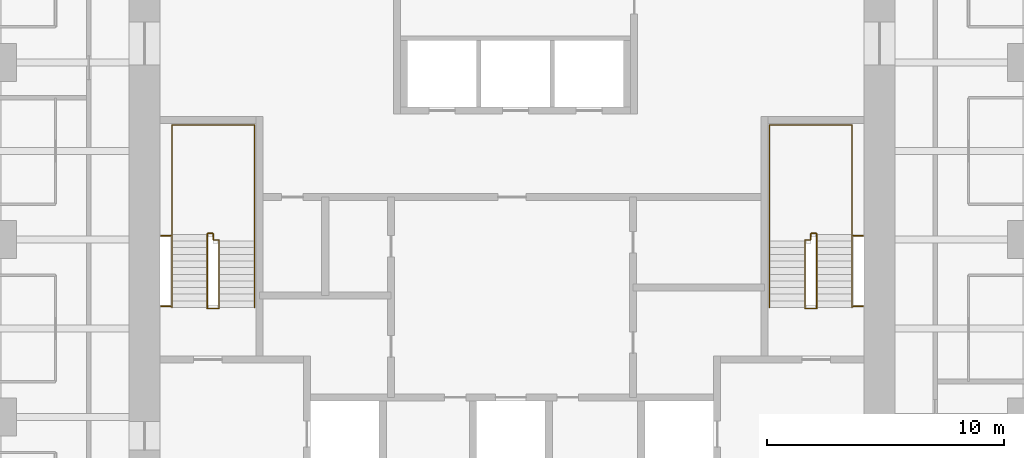
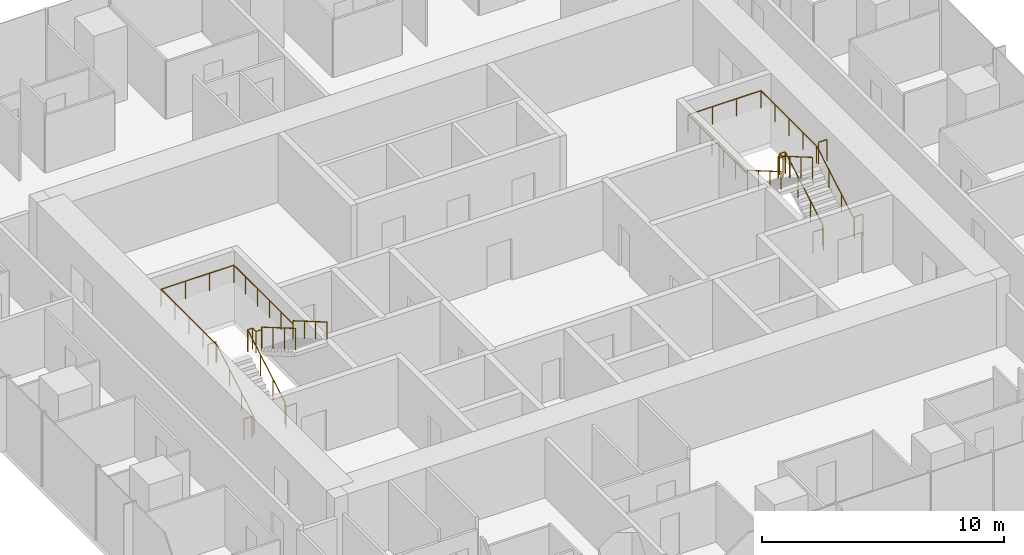
# One storey, part 12 of 12: 8 railings.
"""IFC4 building model written with IfcOpenShell, lengths in metres."""

from ifc_helpers import new_model, si_unit, direction, frame, origin, origin_2d, place, context, subcontext, project, spatial, circle, extrude, material, type_object, element, save


model = new_model("IFC4")

# Units and contexts
model_context = context("Model", 3, precision=1e-05, world=origin(), true_north=direction((0.0, 1.0)))
body_context = subcontext(model_context, "Body", "Model", "MODEL_VIEW")
ifc_project = project(units=[si_unit("LENGTHUNIT", "METRE"), si_unit("AREAUNIT", "SQUARE_METRE"), si_unit("VOLUMEUNIT", "CUBIC_METRE"), si_unit("PLANEANGLEUNIT", "RADIAN"), si_unit("MASSUNIT", "GRAM", prefix="KILO")], contexts=[model_context])

# Site, building, storey
site_placement = place(None, origin())
site = spatial("IfcSite", under=ifc_project, at=site_placement, CompositionType="ELEMENT")
building_placement = place(site_placement, origin())
building = spatial("IfcBuilding", under=site, at=building_placement, Name="Khuree Lantern Residences", CompositionType="ELEMENT")
storey_placement = place(building_placement, frame((0.0, 0.0, 300.75)))
storey = spatial("IfcBuildingStorey", under=building, at=storey_placement, Name="L75", CompositionType="ELEMENT", Elevation=300.75)

# Railings
ifc_material = material(Name="Steel S355", Category="steel")
railing_type_1 = type_object("IfcRailingType", Name="STAIR GUARD G1 1100", PredefinedType="GUARDRAIL", material=ifc_material)
railing_1_placement = place(storey_placement, frame((-12.35009765625, -2.909912109375, 0.0)))
element("IfcRailing", 1, at=railing_1_placement, inside=storey, type_object=railing_type_1, Name="Stair ST1 guard", PredefinedType="GUARDRAIL", context=body_context, shape_type="SweptSolid", body=[
    extrude(circle(Radius=0.02392578125, at=origin_2d()), frame((0.0, 0.0, 1.076171875), z_axis=(-1.0, 0.0, 0.0), x_axis=(0.0, -1.0, 0.0)), (0.0, 0.0, 1.0), 0.5),
    extrude(circle(Radius=0.02392578125, at=origin_2d()), frame((-0.5, 0.0, 1.076171875), z_axis=(0.0, 0.292073035251, 0.95639601739), x_axis=(-1.0, 0.0, 0.0)), (0.0, 0.0, 1.0), 0.17041015625),
    extrude(circle(Radius=0.02392578125, at=origin_2d()), frame((-0.5, 0.0498046875, 1.2392578125), z_axis=(0.0, 0.864176135923, 0.503189433615), x_axis=(-1.0, 0.0, 0.0)), (0.0, 0.0, 1.0), 3.564208984375),
    extrude(circle(Radius=0.02392578125, at=origin_2d()), frame((-0.5, 3.1298828125, 3.03271484375), z_axis=(0.0, 1.0, 0.0), x_axis=(-1.0, 0.0, 0.0)), (0.0, 0.0, 1.0), 0.050048828125),
    extrude(circle(Radius=0.02392578125, at=origin_2d()), frame((-0.5, 3.179931640625, 3.03271484375), z_axis=(1.0, 0.0, 0.0), x_axis=(0.0, 1.0, 0.0)), (0.0, 0.0, 1.0), 0.25),
    extrude(circle(Radius=0.02392578125, at=origin_2d()), frame((-0.25, 3.179931640625, 3.03271484375), z_axis=(0.0, -1.0, 0.0), x_axis=(1.0, 0.0, 0.0)), (0.0, 0.0, 1.0), 0.280029296875),
    extrude(circle(Radius=0.02392578125, at=origin_2d()), frame((-0.25, 2.89990234375, 3.03271484375), z_axis=(1.0, 0.0, 0.0), x_axis=(0.0, 1.0, 0.0)), (0.0, 0.0, 1.0), 0.25),
    extrude(circle(Radius=0.02392578125, at=origin_2d()), frame((0.0, 2.89990234375, 3.03271484375), z_axis=(0.0, -0.293381807449, 0.955995353053), x_axis=(1.0, 0.0, 0.0)), (0.0, 0.0, 1.0), 0.170654296875),
    extrude(circle(Radius=0.02392578125, at=origin_2d()), frame((0.0, 2.849853515625, 3.19580078125), z_axis=(0.0, -0.864180358799, 0.503182181189), x_axis=(1.0, 0.0, 0.0)), (0.0, 0.0, 1.0), 3.240234375),
    extrude(circle(Radius=0.02099609375, at=origin_2d()), origin(), (0.0, 0.0, 1.0), 1.052001953125),
    extrude(circle(Radius=0.02099609375, at=origin_2d()), frame((-0.5, 0.0, 0.0)), (0.0, 0.0, 1.0), 1.052001953125),
    extrude(circle(Radius=0.02099609375, at=origin_2d()), frame((-0.5, 0.0498046875, 0.1630859375)), (0.0, 0.0, 1.0), 1.052001953125),
    extrude(circle(Radius=0.02099609375, at=origin_2d()), frame((-0.5, 1.076416015625, 0.760986328125)), (0.0, 0.0, 1.0), 1.052001953125),
    extrude(circle(Radius=0.02099609375, at=origin_2d()), frame((-0.5, 2.103271484375, 1.358642578125)), (0.0, 0.0, 1.0), 1.052001953125),
    extrude(circle(Radius=0.02099609375, at=origin_2d()), frame((-0.5, 3.1298828125, 1.95654296875)), (0.0, 0.0, 1.0), 1.052001953125),
    extrude(circle(Radius=0.02099609375, at=origin_2d()), frame((-0.5, 3.179931640625, 1.95654296875)), (0.0, 0.0, 1.0), 1.052001953125),
    extrude(circle(Radius=0.02099609375, at=origin_2d()), frame((-0.25, 3.179931640625, 1.95654296875)), (0.0, 0.0, 1.0), 1.052001953125),
    extrude(circle(Radius=0.02099609375, at=origin_2d()), frame((-0.25, 2.89990234375, 1.95654296875)), (0.0, 0.0, 1.0), 1.052001953125),
    extrude(circle(Radius=0.02099609375, at=origin_2d()), frame((0.0, 2.89990234375, 1.95654296875)), (0.0, 0.0, 1.0), 1.052001953125),
    extrude(circle(Radius=0.02099609375, at=origin_2d()), frame((0.0, 2.849853515625, 2.11962890625)), (0.0, 0.0, 1.0), 1.052001953125),
    extrude(circle(Radius=0.02099609375, at=origin_2d()), frame((0.0, 1.91650390625, 2.6630859375)), (0.0, 0.0, 1.0), 1.052001953125),
    extrude(circle(Radius=0.02099609375, at=origin_2d()), frame((0.0, 0.983154296875, 3.20654296875)), (0.0, 0.0, 1.0), 1.052001953125),
    extrude(circle(Radius=0.02099609375, at=origin_2d()), frame((0.0, 0.0498046875, 3.75)), (0.0, 0.0, 1.0), 1.052001953125),
])
for number, where, name in (
    (2, (-14.800048828125, -2.81005859375, 0.0), "Stair ST1 landing slot guard"),
    (3, (-14.800048828125, 0.169921875, 1.95654296875), "Stair ST1 landing slot guard"),
):
    element("IfcRailing", number, at=place(storey_placement, frame(where)), inside=storey, type_object=railing_type_1, Name=name, PredefinedType="GUARDRAIL", context=body_context, shape_type="SweptSolid", body=[
        extrude(circle(Radius=0.02392578125, at=origin_2d()), frame((0.0, 0.0, 1.076171875), z_axis=(1.0, 0.0, 0.0), x_axis=(0.0, 1.0, 0.0)), (0.0, 0.0, 1.0), 0.400146484375),
        extrude(circle(Radius=0.02099609375, at=origin_2d()), origin(), (0.0, 0.0, 1.0), 1.052001953125),
        extrude(circle(Radius=0.02099609375, at=origin_2d()), frame((0.400146484375, 0.0, 0.0)), (0.0, 0.0, 1.0), 1.052001953125),
    ])
railing_2_placement = place(storey_placement, frame((12.35009765625, -2.909912109375, 0.0)))
element("IfcRailing", 4, at=railing_2_placement, inside=storey, type_object=railing_type_1, Name="Stair ST2 guard", PredefinedType="GUARDRAIL", context=body_context, shape_type="SweptSolid", body=[
    extrude(circle(Radius=0.02392578125, at=origin_2d()), frame((0.0, 0.0, 1.076171875), z_axis=(1.0, 0.0, 0.0), x_axis=(0.0, 1.0, 0.0)), (0.0, 0.0, 1.0), 0.5),
    extrude(circle(Radius=0.02392578125, at=origin_2d()), frame((0.5, 0.0, 1.076171875), z_axis=(0.0, 0.292073035251, 0.95639601739), x_axis=(-1.0, 0.0, 0.0)), (0.0, 0.0, 1.0), 0.17041015625),
    extrude(circle(Radius=0.02392578125, at=origin_2d()), frame((0.5, 0.0498046875, 1.2392578125), z_axis=(0.0, 0.864176135923, 0.503189433615), x_axis=(-1.0, 0.0, 0.0)), (0.0, 0.0, 1.0), 3.564208984375),
    extrude(circle(Radius=0.02392578125, at=origin_2d()), frame((0.5, 3.1298828125, 3.03271484375), z_axis=(0.0, 1.0, 0.0), x_axis=(-1.0, 0.0, 0.0)), (0.0, 0.0, 1.0), 0.050048828125),
    extrude(circle(Radius=0.02392578125, at=origin_2d()), frame((0.5, 3.179931640625, 3.03271484375), z_axis=(-1.0, 0.0, 0.0), x_axis=(0.0, -1.0, 0.0)), (0.0, 0.0, 1.0), 0.25),
    extrude(circle(Radius=0.02392578125, at=origin_2d()), frame((0.25, 3.179931640625, 3.03271484375), z_axis=(0.0, -1.0, 0.0), x_axis=(1.0, 0.0, 0.0)), (0.0, 0.0, 1.0), 0.280029296875),
    extrude(circle(Radius=0.02392578125, at=origin_2d()), frame((0.25, 2.89990234375, 3.03271484375), z_axis=(-1.0, 0.0, 0.0), x_axis=(0.0, -1.0, 0.0)), (0.0, 0.0, 1.0), 0.25),
    extrude(circle(Radius=0.02392578125, at=origin_2d()), frame((0.0, 2.89990234375, 3.03271484375), z_axis=(0.0, -0.293381807449, 0.955995353053), x_axis=(1.0, 0.0, 0.0)), (0.0, 0.0, 1.0), 0.170654296875),
    extrude(circle(Radius=0.02392578125, at=origin_2d()), frame((0.0, 2.849853515625, 3.19580078125), z_axis=(0.0, -0.864180358799, 0.503182181189), x_axis=(1.0, 0.0, 0.0)), (0.0, 0.0, 1.0), 3.240234375),
    extrude(circle(Radius=0.02099609375, at=origin_2d()), origin(), (0.0, 0.0, 1.0), 1.052001953125),
    extrude(circle(Radius=0.02099609375, at=origin_2d()), frame((0.5, 0.0, 0.0)), (0.0, 0.0, 1.0), 1.052001953125),
    extrude(circle(Radius=0.02099609375, at=origin_2d()), frame((0.5, 0.0498046875, 0.1630859375)), (0.0, 0.0, 1.0), 1.052001953125),
    extrude(circle(Radius=0.02099609375, at=origin_2d()), frame((0.5, 1.076416015625, 0.760986328125)), (0.0, 0.0, 1.0), 1.052001953125),
    extrude(circle(Radius=0.02099609375, at=origin_2d()), frame((0.5, 2.103271484375, 1.358642578125)), (0.0, 0.0, 1.0), 1.052001953125),
    extrude(circle(Radius=0.02099609375, at=origin_2d()), frame((0.5, 3.1298828125, 1.95654296875)), (0.0, 0.0, 1.0), 1.052001953125),
    extrude(circle(Radius=0.02099609375, at=origin_2d()), frame((0.5, 3.179931640625, 1.95654296875)), (0.0, 0.0, 1.0), 1.052001953125),
    extrude(circle(Radius=0.02099609375, at=origin_2d()), frame((0.25, 3.179931640625, 1.95654296875)), (0.0, 0.0, 1.0), 1.052001953125),
    extrude(circle(Radius=0.02099609375, at=origin_2d()), frame((0.25, 2.89990234375, 1.95654296875)), (0.0, 0.0, 1.0), 1.052001953125),
    extrude(circle(Radius=0.02099609375, at=origin_2d()), frame((0.0, 2.89990234375, 1.95654296875)), (0.0, 0.0, 1.0), 1.052001953125),
    extrude(circle(Radius=0.02099609375, at=origin_2d()), frame((0.0, 2.849853515625, 2.11962890625)), (0.0, 0.0, 1.0), 1.052001953125),
    extrude(circle(Radius=0.02099609375, at=origin_2d()), frame((0.0, 1.91650390625, 2.6630859375)), (0.0, 0.0, 1.0), 1.052001953125),
    extrude(circle(Radius=0.02099609375, at=origin_2d()), frame((0.0, 0.983154296875, 3.20654296875)), (0.0, 0.0, 1.0), 1.052001953125),
    extrude(circle(Radius=0.02099609375, at=origin_2d()), frame((0.0, 0.0498046875, 3.75)), (0.0, 0.0, 1.0), 1.052001953125),
])
for number, where, name in (
    (5, (14.800048828125, -2.81005859375, 0.0), "Stair ST2 landing slot guard"),
    (6, (14.800048828125, 0.169921875, 1.95654296875), "Stair ST2 landing slot guard"),
):
    element("IfcRailing", number, at=place(storey_placement, frame(where)), inside=storey, type_object=railing_type_1, Name=name, PredefinedType="GUARDRAIL", context=body_context, shape_type="SweptSolid", body=[
        extrude(circle(Radius=0.02392578125, at=origin_2d()), frame((0.0, 0.0, 1.076171875), z_axis=(-1.0, 0.0, 0.0), x_axis=(0.0, -1.0, 0.0)), (0.0, 0.0, 1.0), 0.400146484375),
        extrude(circle(Radius=0.02099609375, at=origin_2d()), origin(), (0.0, 0.0, 1.0), 1.052001953125),
        extrude(circle(Radius=0.02099609375, at=origin_2d()), frame((-0.400146484375, 0.0, 0.0)), (0.0, 0.0, 1.0), 1.052001953125),
    ])
railing_type_2 = type_object("IfcRailingType", Name="STAIR HANDRAIL H1 900", PredefinedType="HANDRAIL", material=ifc_material)
railing_3_placement = place(storey_placement, frame((-14.340087890625, -2.860107421875, 0.1630859375)))
element("IfcRailing", 7, at=railing_3_placement, inside=storey, type_object=railing_type_2, Name="Stair ST1 handrail", PredefinedType="HANDRAIL", context=body_context, shape_type="SweptSolid", body=[
    extrude(circle(Radius=0.02392578125, at=origin_2d()), frame((0.0, 0.0, 0.8759765625), z_axis=(0.0, 0.864176135923, 0.503189433615), x_axis=(-1.0, 0.0, 0.0)), (0.0, 0.0, 1.0), 3.564208984375),
    extrude(circle(Radius=0.02392578125, at=origin_2d()), frame((0.0, 3.080078125, 2.66943359375), z_axis=(0.0, 1.0, 0.0), x_axis=(-1.0, 0.0, 0.0)), (0.0, 0.0, 1.0), 4.6201171875),
    extrude(circle(Radius=0.02392578125, at=origin_2d()), frame((0.0, 7.7001953125, 2.66943359375), z_axis=(1.0, 0.0, 0.0), x_axis=(0.0, 1.0, 0.0)), (0.0, 0.0, 1.0), 3.47998046875),
    extrude(circle(Radius=0.02392578125, at=origin_2d()), frame((3.47998046875, 7.7001953125, 2.66943359375), z_axis=(0.0, -1.0, 0.0), x_axis=(1.0, 0.0, 0.0)), (0.0, 0.0, 1.0), 4.900146484375),
    extrude(circle(Radius=0.02392578125, at=origin_2d()), frame((3.47998046875, 2.800048828125, 2.66943359375), z_axis=(0.0, 0.0, 1.0), x_axis=(1.0, 0.0, 0.0)), (0.0, 0.0, 1.0), 0.1630859375),
    extrude(circle(Radius=0.02392578125, at=origin_2d()), frame((3.47998046875, 2.800048828125, 2.83251953125), z_axis=(0.0, -0.864180358799, 0.503182181189), x_axis=(1.0, 0.0, 0.0)), (0.0, 0.0, 1.0), 3.240234375),
    extrude(circle(Radius=0.02099609375, at=origin_2d()), origin(), (0.0, 0.0, 1.0), 0.851806640625),
    extrude(circle(Radius=0.02099609375, at=origin_2d()), frame((0.0, 1.026611328125, 0.597900390625)), (0.0, 0.0, 1.0), 0.851806640625),
    extrude(circle(Radius=0.02099609375, at=origin_2d()), frame((0.0, 2.053466796875, 1.195556640625)), (0.0, 0.0, 1.0), 0.851806640625),
    extrude(circle(Radius=0.02099609375, at=origin_2d()), frame((0.0, 3.080078125, 1.79345703125)), (0.0, 0.0, 1.0), 0.851806640625),
    extrude(circle(Radius=0.02099609375, at=origin_2d()), frame((0.0, 4.235107421875, 1.79345703125)), (0.0, 0.0, 1.0), 0.851806640625),
    extrude(circle(Radius=0.02099609375, at=origin_2d()), frame((0.0, 5.39013671875, 1.79345703125)), (0.0, 0.0, 1.0), 0.851806640625),
    extrude(circle(Radius=0.02099609375, at=origin_2d()), frame((0.0, 6.545166015625, 1.79345703125)), (0.0, 0.0, 1.0), 0.851806640625),
    extrude(circle(Radius=0.02099609375, at=origin_2d()), frame((0.0, 7.7001953125, 1.79345703125)), (0.0, 0.0, 1.0), 0.851806640625),
    extrude(circle(Radius=0.02099609375, at=origin_2d()), frame((1.159912109375, 7.7001953125, 1.79345703125)), (0.0, 0.0, 1.0), 0.851806640625),
    extrude(circle(Radius=0.02099609375, at=origin_2d()), frame((2.320068359375, 7.7001953125, 1.79345703125)), (0.0, 0.0, 1.0), 0.851806640625),
    extrude(circle(Radius=0.02099609375, at=origin_2d()), frame((3.47998046875, 7.7001953125, 1.79345703125)), (0.0, 0.0, 1.0), 0.851806640625),
    extrude(circle(Radius=0.02099609375, at=origin_2d()), frame((3.47998046875, 6.72021484375, 1.79345703125)), (0.0, 0.0, 1.0), 0.851806640625),
    extrude(circle(Radius=0.02099609375, at=origin_2d()), frame((3.47998046875, 5.740234375, 1.79345703125)), (0.0, 0.0, 1.0), 0.851806640625),
    extrude(circle(Radius=0.02099609375, at=origin_2d()), frame((3.47998046875, 4.760009765625, 1.79345703125)), (0.0, 0.0, 1.0), 0.851806640625),
    extrude(circle(Radius=0.02099609375, at=origin_2d()), frame((3.47998046875, 3.780029296875, 1.79345703125)), (0.0, 0.0, 1.0), 0.851806640625),
    extrude(circle(Radius=0.02099609375, at=origin_2d()), frame((3.47998046875, 2.800048828125, 1.79345703125)), (0.0, 0.0, 1.0), 0.851806640625),
    extrude(circle(Radius=0.02099609375, at=origin_2d()), frame((3.47998046875, 2.800048828125, 1.95654296875)), (0.0, 0.0, 1.0), 0.851806640625),
    extrude(circle(Radius=0.02099609375, at=origin_2d()), frame((3.47998046875, 1.86669921875, 2.5)), (0.0, 0.0, 1.0), 0.851806640625),
    extrude(circle(Radius=0.02099609375, at=origin_2d()), frame((3.47998046875, 0.933349609375, 3.04345703125)), (0.0, 0.0, 1.0), 0.851806640625),
    extrude(circle(Radius=0.02099609375, at=origin_2d()), frame((3.47998046875, 0.0, 3.5869140625)), (0.0, 0.0, 1.0), 0.851806640625),
])
railing_4_placement = place(storey_placement, frame((14.340087890625, -2.860107421875, 0.1630859375)))
element("IfcRailing", 8, at=railing_4_placement, inside=storey, type_object=railing_type_2, Name="Stair ST2 handrail", PredefinedType="HANDRAIL", context=body_context, shape_type="SweptSolid", body=[
    extrude(circle(Radius=0.02392578125, at=origin_2d()), frame((0.0, 0.0, 0.8759765625), z_axis=(0.0, 0.864176135923, 0.503189433615), x_axis=(-1.0, 0.0, 0.0)), (0.0, 0.0, 1.0), 3.564208984375),
    extrude(circle(Radius=0.02392578125, at=origin_2d()), frame((0.0, 3.080078125, 2.66943359375), z_axis=(0.0, 1.0, 0.0), x_axis=(-1.0, 0.0, 0.0)), (0.0, 0.0, 1.0), 4.6201171875),
    extrude(circle(Radius=0.02392578125, at=origin_2d()), frame((0.0, 7.7001953125, 2.66943359375), z_axis=(-1.0, 0.0, 0.0), x_axis=(0.0, -1.0, 0.0)), (0.0, 0.0, 1.0), 3.47998046875),
    extrude(circle(Radius=0.02392578125, at=origin_2d()), frame((-3.47998046875, 7.7001953125, 2.66943359375), z_axis=(0.0, -1.0, 0.0), x_axis=(1.0, 0.0, 0.0)), (0.0, 0.0, 1.0), 4.900146484375),
    extrude(circle(Radius=0.02392578125, at=origin_2d()), frame((-3.47998046875, 2.800048828125, 2.66943359375), z_axis=(0.0, 0.0, 1.0), x_axis=(1.0, 0.0, 0.0)), (0.0, 0.0, 1.0), 0.1630859375),
    extrude(circle(Radius=0.02392578125, at=origin_2d()), frame((-3.47998046875, 2.800048828125, 2.83251953125), z_axis=(0.0, -0.864180358799, 0.503182181189), x_axis=(1.0, 0.0, 0.0)), (0.0, 0.0, 1.0), 3.240234375),
    extrude(circle(Radius=0.02099609375, at=origin_2d()), origin(), (0.0, 0.0, 1.0), 0.851806640625),
    extrude(circle(Radius=0.02099609375, at=origin_2d()), frame((0.0, 1.026611328125, 0.597900390625)), (0.0, 0.0, 1.0), 0.851806640625),
    extrude(circle(Radius=0.02099609375, at=origin_2d()), frame((0.0, 2.053466796875, 1.195556640625)), (0.0, 0.0, 1.0), 0.851806640625),
    extrude(circle(Radius=0.02099609375, at=origin_2d()), frame((0.0, 3.080078125, 1.79345703125)), (0.0, 0.0, 1.0), 0.851806640625),
    extrude(circle(Radius=0.02099609375, at=origin_2d()), frame((0.0, 4.235107421875, 1.79345703125)), (0.0, 0.0, 1.0), 0.851806640625),
    extrude(circle(Radius=0.02099609375, at=origin_2d()), frame((0.0, 5.39013671875, 1.79345703125)), (0.0, 0.0, 1.0), 0.851806640625),
    extrude(circle(Radius=0.02099609375, at=origin_2d()), frame((0.0, 6.545166015625, 1.79345703125)), (0.0, 0.0, 1.0), 0.851806640625),
    extrude(circle(Radius=0.02099609375, at=origin_2d()), frame((0.0, 7.7001953125, 1.79345703125)), (0.0, 0.0, 1.0), 0.851806640625),
    extrude(circle(Radius=0.02099609375, at=origin_2d()), frame((-1.159912109375, 7.7001953125, 1.79345703125)), (0.0, 0.0, 1.0), 0.851806640625),
    extrude(circle(Radius=0.02099609375, at=origin_2d()), frame((-2.320068359375, 7.7001953125, 1.79345703125)), (0.0, 0.0, 1.0), 0.851806640625),
    extrude(circle(Radius=0.02099609375, at=origin_2d()), frame((-3.47998046875, 7.7001953125, 1.79345703125)), (0.0, 0.0, 1.0), 0.851806640625),
    extrude(circle(Radius=0.02099609375, at=origin_2d()), frame((-3.47998046875, 6.72021484375, 1.79345703125)), (0.0, 0.0, 1.0), 0.851806640625),
    extrude(circle(Radius=0.02099609375, at=origin_2d()), frame((-3.47998046875, 5.740234375, 1.79345703125)), (0.0, 0.0, 1.0), 0.851806640625),
    extrude(circle(Radius=0.02099609375, at=origin_2d()), frame((-3.47998046875, 4.760009765625, 1.79345703125)), (0.0, 0.0, 1.0), 0.851806640625),
    extrude(circle(Radius=0.02099609375, at=origin_2d()), frame((-3.47998046875, 3.780029296875, 1.79345703125)), (0.0, 0.0, 1.0), 0.851806640625),
    extrude(circle(Radius=0.02099609375, at=origin_2d()), frame((-3.47998046875, 2.800048828125, 1.79345703125)), (0.0, 0.0, 1.0), 0.851806640625),
    extrude(circle(Radius=0.02099609375, at=origin_2d()), frame((-3.47998046875, 2.800048828125, 1.95654296875)), (0.0, 0.0, 1.0), 0.851806640625),
    extrude(circle(Radius=0.02099609375, at=origin_2d()), frame((-3.47998046875, 1.86669921875, 2.5)), (0.0, 0.0, 1.0), 0.851806640625),
    extrude(circle(Radius=0.02099609375, at=origin_2d()), frame((-3.47998046875, 0.933349609375, 3.04345703125)), (0.0, 0.0, 1.0), 0.851806640625),
    extrude(circle(Radius=0.02099609375, at=origin_2d()), frame((-3.47998046875, 0.0, 3.5869140625)), (0.0, 0.0, 1.0), 0.851806640625),
])

save(model, "model.ifc")
